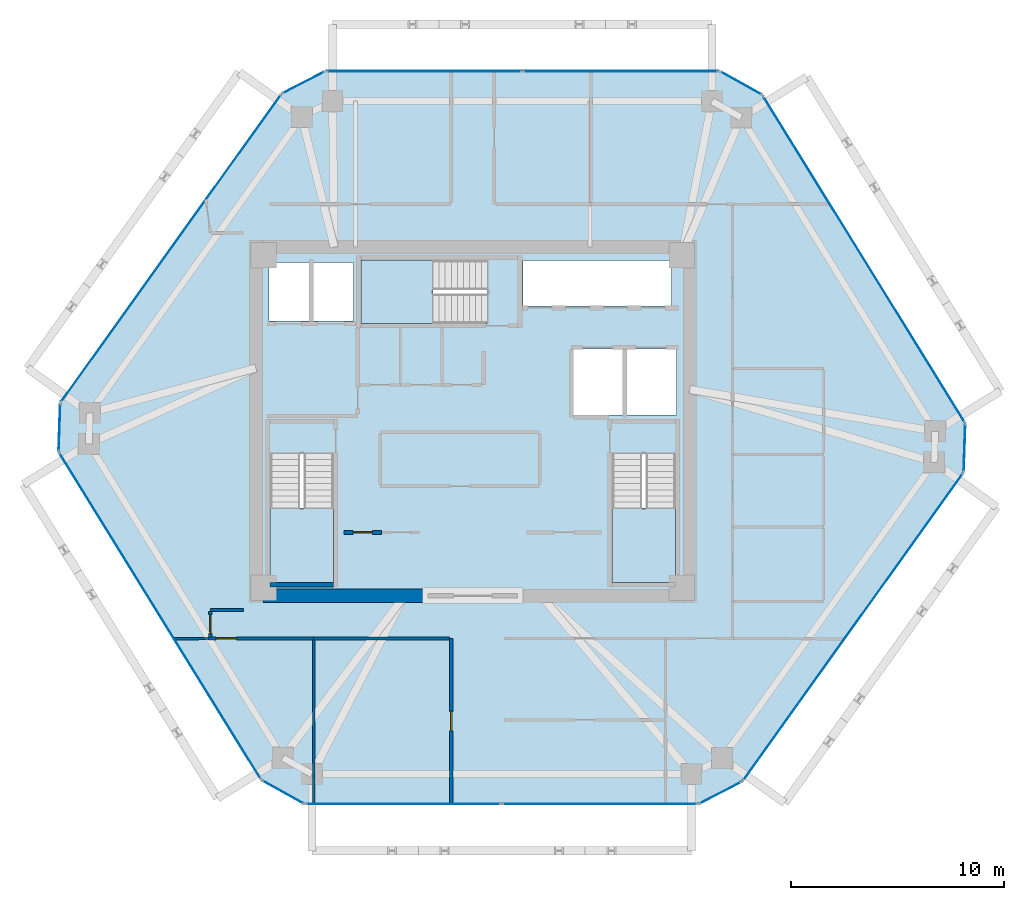
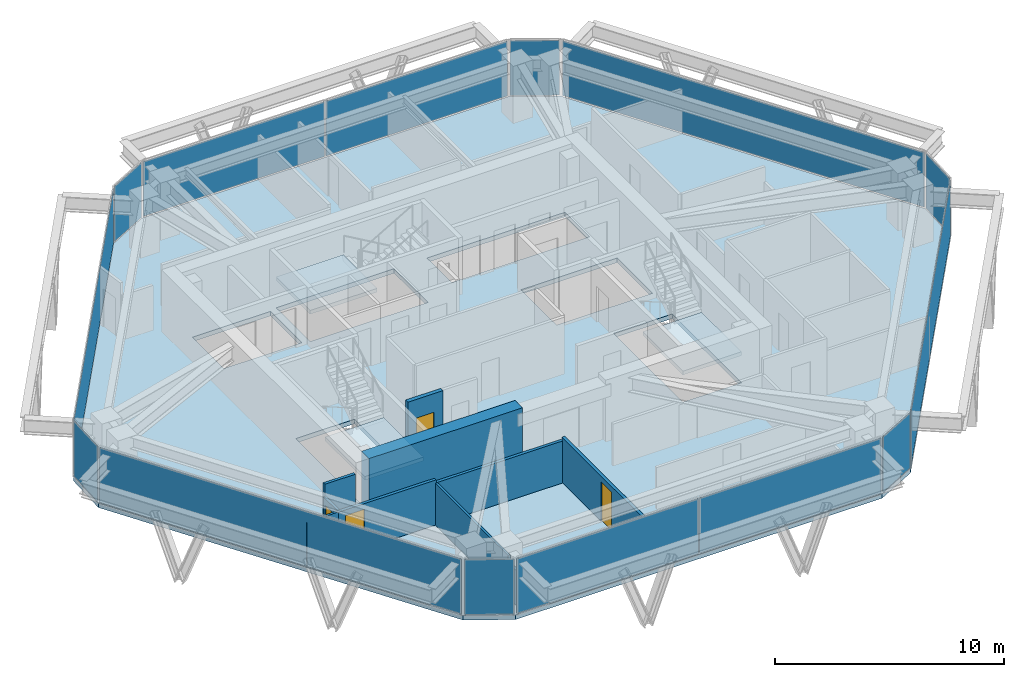
# One storey, part 7 of 11: 14 plates, 11 walls, 4 doors, 4 slabs, 4 openings, 15 elements without a shape of their own.
"""IFC4 building model written with IfcOpenShell, lengths in metres."""

from ifc_helpers import new_model, si_unit, direction, frame, frame_2d, origin, origin_2d, place, context, subcontext, project, spatial, polyline, rectangle, outline, extrude, source, transform, mapped, material, layer, layer_set, type_object, type_shapes, element, fill, aggregate, save


model = new_model("IFC4")

# Units and contexts
model_context = context("Model", 3, precision=1e-05, world=origin(), true_north=direction((0.0, 1.0)))
body_context = subcontext(model_context, "Body", "Model", "MODEL_VIEW")
ifc_project = project(units=[si_unit("LENGTHUNIT", "METRE"), si_unit("AREAUNIT", "SQUARE_METRE"), si_unit("VOLUMEUNIT", "CUBIC_METRE"), si_unit("PLANEANGLEUNIT", "RADIAN"), si_unit("MASSUNIT", "GRAM", prefix="KILO")], contexts=[model_context])

# Site, building, storey
site_placement = place(None, origin())
site = spatial("IfcSite", under=ifc_project, at=site_placement, CompositionType="ELEMENT")
building_placement = place(site_placement, origin())
building = spatial("IfcBuilding", under=site, at=building_placement, Name="Durnholm Broadcast Tower", CompositionType="ELEMENT")
storey_placement = place(building_placement, frame((0.0, 0.0, 190.300048828125)))
storey = spatial("IfcBuildingStorey", under=building, at=storey_placement, Name="L52", CompositionType="ELEMENT", Elevation=190.300048828125)

# Slab
ifc_material_1 = material(Name="Concrete C50/60", Category="concrete")
ifc_layer_1 = layer(ifc_material_1, 0.239990234375)
ifc_layer_set_1 = layer_set([ifc_layer_1], Name="Concrete C50/60")
slab_type_1 = type_object("IfcSlabType", Name="SLAB-FLR-240", PredefinedType="FLOOR", material=ifc_layer_set_1)
slab_1_placement = place(storey_placement, frame((0.0, 0.0, -0.239990234375)))
element("IfcSlab", 1, at=slab_1_placement, inside=storey, type_object=slab_type_1, Name="L52 structural floor slab", PredefinedType="FLOOR", context=body_context, shape_type="SweptSolid", body=[
    extrude(outline(polyline([(-9.912353515625, -16.822021484375), (-7.9033203125, -17.94189453125), (10.59521484375, -17.94189453125), (12.64111328125, -16.890625), (23.022705078125, -2.390380859375), (23.1005859375, -0.091552734375), (13.59033203125, 15.2978515625), (11.581298828125, 16.41796875), (-6.917236328125, 16.41796875), (-8.962890625, 15.36669921875), (-19.3447265625, 0.8662109375), (-19.422607421875, -1.432373046875), (-9.912353515625, -16.822021484375)]), holes=[polyline([(-6.5400390625, -1.5), (-9.5, -1.5), (-9.5, -7.550048828125), (-6.5400390625, -7.550048828125), (-6.5400390625, -1.5)]), polyline([(9.5, -7.550048828125), (9.5, -1.5), (6.5400390625, -1.5), (6.5400390625, -7.550048828125), (9.5, -7.550048828125)]), polyline([(9.550048828125, 3.39990234375), (4.699951171875, 3.39990234375), (4.699951171875, 0.300048828125), (9.550048828125, 0.300048828125), (9.550048828125, 3.39990234375)]), polyline([(-9.550048828125, 7.449951171875), (-9.550048828125, 4.699951171875), (-5.60009765625, 4.699951171875), (-5.60009765625, 7.449951171875), (-9.550048828125, 7.449951171875)]), polyline([(-5.25, 4.60009765625), (0.699951171875, 4.60009765625), (0.699951171875, 7.56005859375), (-5.25, 7.56005859375), (-5.25, 4.60009765625)]), polyline([(9.31005859375, 7.550048828125), (2.35009765625, 7.550048828125), (2.35009765625, 5.39990234375), (9.31005859375, 5.39990234375), (9.31005859375, 7.550048828125)])]), origin(), (0.0, 0.0, 1.0), 0.239990234375),
])

# Stair, slab
stair_type = type_object("IfcStairType", Name="STAIR-DL-20R1650", PredefinedType="HALF_TURN_STAIR", material=ifc_material_1)
stair_1_placement = place(storey_placement, origin())
stair_1 = element("IfcStair", 2, at=stair_1_placement, inside=storey, type_object=stair_type, Name="L52 ST-1", PredefinedType="HALF_TURN_STAIR")
ifc_layer_2 = layer(ifc_material_1, 0.199951171875)
ifc_layer_set_2 = layer_set([ifc_layer_2], Name="Concrete C50/60")
slab_type_2 = type_object("IfcSlabType", Name="SLAB-LND-200", PredefinedType="LANDING", material=ifc_layer_set_2)
slab_2_placement = place(storey_placement, frame((0.0, 0.0, 1.449951171875)))
slab_2 = element("IfcSlab", 3, at=slab_2_placement, type_object=slab_type_2, Name="ST-1 landing 1", PredefinedType="LANDING", context=body_context, shape_type="SweptSolid", body=[
    extrude(outline(polyline([(-9.5, -4.06494140625), (-9.5, -7.550048828125), (-6.5400390625, -7.550048828125), (-6.5400390625, -4.06494140625), (-9.5, -4.06494140625)])), origin(), (0.0, 0.0, 1.0), 0.199951171875),
])
aggregate(stair_1, [slab_2])

stair_2_placement = place(storey_placement, origin())
stair_2 = element("IfcStair", 4, at=stair_2_placement, inside=storey, type_object=stair_type, Name="L52 ST-2", PredefinedType="HALF_TURN_STAIR")
slab_3_placement = place(storey_placement, frame((0.0, 0.0, 1.449951171875)))
slab_3 = element("IfcSlab", 5, at=slab_3_placement, type_object=slab_type_2, Name="ST-2 landing 1", PredefinedType="LANDING", context=body_context, shape_type="SweptSolid", body=[
    extrude(outline(polyline([(6.5400390625, -4.06494140625), (6.5400390625, -7.550048828125), (9.5, -7.550048828125), (9.5, -4.06494140625), (6.5400390625, -4.06494140625)])), origin(), (0.0, 0.0, 1.0), 0.199951171875),
])
aggregate(stair_2, [slab_3])

stair_3_placement = place(storey_placement, origin())
stair_3 = element("IfcStair", 6, at=stair_3_placement, inside=storey, type_object=stair_type, Name="L52 ST-3", PredefinedType="HALF_TURN_STAIR")
slab_4_placement = place(storey_placement, frame((0.0, 0.0, 1.449951171875)))
slab_4 = element("IfcSlab", 7, at=slab_4_placement, type_object=slab_type_2, Name="ST-3 landing 1", PredefinedType="LANDING", context=body_context, shape_type="SweptSolid", body=[
    extrude(outline(polyline([(-1.864990234375, 7.56005859375), (-5.25, 7.56005859375), (-5.25, 4.60009765625), (-1.864990234375, 4.60009765625), (-1.864990234375, 7.56005859375)])), origin(), (0.0, 0.0, 1.0), 0.199951171875),
])
aggregate(stair_3, [slab_4])

# Curtain wall, plate
ifc_material_2 = material(Name="Aluminium and Solar Control IGU", Category="aluminium")
ifc_layer_3 = layer(ifc_material_2, 0.1650390625)
ifc_layer_set_3 = layer_set([ifc_layer_3], Name="Aluminium and Solar Control IGU")
curtain_wall_type_1 = type_object("IfcCurtainWallType", Name="CW-SYS-5", PredefinedType="NOTDEFINED", material=ifc_layer_set_3)
curtain_wall_1_placement = place(storey_placement, origin())
curtain_wall_1 = element("IfcCurtainWall", 8, at=curtain_wall_1_placement, inside=storey, type_object=curtain_wall_type_1, Name="L52 curtain wall CW-CORNER CW-L52-CRN-01", PredefinedType="NOTDEFINED")
ifc_material_3 = material(Name="Low-E Laminated Insulating Glass", Category="glass")
ifc_layer_4 = layer(ifc_material_3, 0.030029296875)
ifc_layer_set_4 = layer_set([ifc_layer_4], Name="Low-E Laminated Insulating Glass")
plate_type_1 = type_object("IfcPlateType", Name="CW-SYS-5-PNL", PredefinedType="CURTAIN_PANEL", material=ifc_layer_set_4)
shared_shape_1 = source(origin(), body_context, "Body", "SweptSolid", [
    extrude(rectangle(XDim=2.169921875, YDim=0.030029296875, at=origin_2d()), origin(), (0.0, 0.0, 1.0), 2.929931640625),
])
plate_1_placement = place(storey_placement, frame((-19.3837890625, -0.282958984375, 0.06494140625), z_axis=(0.0, 0.0, 1.0), x_axis=(0.033912704699, 0.999424798802, 0.0)))
plate_1 = element("IfcPlate", 9, at=plate_1_placement, type_object=plate_type_1, Name="CW-CORNER panel 1.1", PredefinedType="CURTAIN_PANEL", context=body_context, shape_type="MappedRepresentation", body=[
    mapped(shared_shape_1, transform((0.0, 0.0, 0.0), x_axis=(1.0, 0.0, 0.0), y_axis=(0.0, 1.0, 0.0), z_axis=(0.0, 0.0, 1.0), scale=1.0)),
])
aggregate(curtain_wall_1, [plate_1])

curtain_wall_2_placement = place(storey_placement, origin())
curtain_wall_2 = element("IfcCurtainWall", 10, at=curtain_wall_2_placement, inside=storey, type_object=curtain_wall_type_1, Name="L52 curtain wall CW-CORNER CW-L52-CRN-03", PredefinedType="NOTDEFINED")
plate_2_placement = place(storey_placement, frame((-7.940185546875, 15.892333984375, 0.06494140625), z_axis=(0.0, 0.0, 1.0), x_axis=(0.889424679545, 0.457081764476, 0.0)))
plate_2 = element("IfcPlate", 11, at=plate_2_placement, type_object=plate_type_1, Name="CW-CORNER panel 1.1", PredefinedType="CURTAIN_PANEL", context=body_context, shape_type="MappedRepresentation", body=[
    mapped(shared_shape_1, transform((0.0, 0.0, 0.0), x_axis=(1.0, 0.0, 0.0), y_axis=(0.0, 1.0, 0.0), z_axis=(0.0, 0.0, 1.0), scale=1.0)),
])
aggregate(curtain_wall_2, [plate_2])

curtain_wall_3_placement = place(storey_placement, origin())
curtain_wall_3 = element("IfcCurtainWall", 12, at=curtain_wall_3_placement, inside=storey, type_object=curtain_wall_type_1, Name="L52 curtain wall CW-CORNER CW-L52-CRN-07", PredefinedType="NOTDEFINED")
plate_3_placement = place(storey_placement, frame((23.061767578125, -1.240966796875, 0.06494140625), z_axis=(0.0, 0.0, 1.0), x_axis=(-0.033912704699, -0.999424798802, 0.0)))
plate_3 = element("IfcPlate", 13, at=plate_3_placement, type_object=plate_type_1, Name="CW-CORNER panel 1.1", PredefinedType="CURTAIN_PANEL", context=body_context, shape_type="MappedRepresentation", body=[
    mapped(shared_shape_1, transform((0.0, 0.0, 0.0), x_axis=(1.0, 0.0, 0.0), y_axis=(0.0, 1.0, 0.0), z_axis=(0.0, 0.0, 1.0), scale=1.0)),
])
aggregate(curtain_wall_3, [plate_3])

curtain_wall_4_placement = place(storey_placement, origin())
curtain_wall_4 = element("IfcCurtainWall", 14, at=curtain_wall_4_placement, inside=storey, type_object=curtain_wall_type_1, Name="L52 curtain wall CW-CORNER CW-L52-CRN-09", PredefinedType="NOTDEFINED")
plate_4_placement = place(storey_placement, frame((11.6181640625, -17.416259765625, 0.06494140625), z_axis=(0.0, 0.0, 1.0), x_axis=(-0.889424679545, -0.457081764476, 0.0)))
plate_4 = element("IfcPlate", 15, at=plate_4_placement, type_object=plate_type_1, Name="CW-CORNER panel 1.1", PredefinedType="CURTAIN_PANEL", context=body_context, shape_type="MappedRepresentation", body=[
    mapped(shared_shape_1, transform((0.0, 0.0, 0.0), x_axis=(1.0, 0.0, 0.0), y_axis=(0.0, 1.0, 0.0), z_axis=(0.0, 0.0, 1.0), scale=1.0)),
])
aggregate(curtain_wall_4, [plate_4])

ifc_layer_5 = layer(ifc_material_2, 0.18994140625)
ifc_layer_set_5 = layer_set([ifc_layer_5], Name="Aluminium and Solar Control IGU")
curtain_wall_type_2 = type_object("IfcCurtainWallType", Name="CW-SYS-4", PredefinedType="NOTDEFINED", material=ifc_layer_set_5)
curtain_wall_5_placement = place(storey_placement, origin())
curtain_wall_5 = element("IfcCurtainWall", 16, at=curtain_wall_5_placement, inside=storey, type_object=curtain_wall_type_2, Name="L52 curtain wall CW-Z34-VIS CW-L52-F02", PredefinedType="NOTDEFINED")
ifc_layer_6 = layer(ifc_material_3, 0.033935546875)
ifc_layer_set_6 = layer_set([ifc_layer_6], Name="Low-E Laminated Insulating Glass")
plate_type_2 = type_object("IfcPlateType", Name="CW-SYS-4-PNL", PredefinedType="CURTAIN_PANEL", material=ifc_layer_set_6)
shared_shape_2 = source(origin(), body_context, "Body", "SweptSolid", [
    extrude(rectangle(XDim=17.693603515625, YDim=0.033935546875, at=origin_2d()), origin(), (0.0, 0.0, 1.0), 2.919921875),
])
plate_5_placement = place(storey_placement, frame((-14.15380859375, 8.116455078125, 0.070068359375), z_axis=(0.0, 0.0, 1.0), x_axis=(0.582139030549, 0.813089262696, 0.0)))
plate_5 = element("IfcPlate", 17, at=plate_5_placement, type_object=plate_type_2, Name="CW-Z34-VIS panel 1.1", PredefinedType="CURTAIN_PANEL", context=body_context, shape_type="MappedRepresentation", body=[
    mapped(shared_shape_2, transform((0.0, 0.0, 0.0), x_axis=(1.0, 0.0, 0.0), y_axis=(0.0, 1.0, 0.0), z_axis=(0.0, 0.0, 1.0), scale=1.0)),
])
aggregate(curtain_wall_5, [plate_5])

curtain_wall_6_placement = place(storey_placement, origin())
curtain_wall_6 = element("IfcCurtainWall", 18, at=curtain_wall_6_placement, inside=storey, type_object=curtain_wall_type_2, Name="L52 curtain wall CW-Z34-VIS CW-L52-F08", PredefinedType="NOTDEFINED")
plate_6_placement = place(storey_placement, frame((17.831787109375, -9.640380859375, 0.070068359375), z_axis=(0.0, 0.0, 1.0), x_axis=(-0.582139030549, -0.813089262696, 0.0)))
plate_6 = element("IfcPlate", 19, at=plate_6_placement, type_object=plate_type_2, Name="CW-Z34-VIS panel 1.1", PredefinedType="CURTAIN_PANEL", context=body_context, shape_type="MappedRepresentation", body=[
    mapped(shared_shape_2, transform((0.0, 0.0, 0.0), x_axis=(1.0, 0.0, 0.0), y_axis=(0.0, 1.0, 0.0), z_axis=(0.0, 0.0, 1.0), scale=1.0)),
])
aggregate(curtain_wall_6, [plate_6])

# Curtain wall, plates
curtain_wall_7_placement = place(storey_placement, origin())
curtain_wall_7 = element("IfcCurtainWall", 20, at=curtain_wall_7_placement, inside=storey, type_object=curtain_wall_type_2, Name="L52 curtain wall CW-Z34-VIS CW-L52-F04", PredefinedType="NOTDEFINED")
shared_shape_3 = source(origin(), body_context, "Body", "SweptSolid", [
    extrude(rectangle(XDim=9.144287109375, YDim=0.033935546875, at=origin_2d()), origin(), (0.0, 0.0, 1.0), 2.919921875),
])
plate_7_placement = place(storey_placement, frame((-2.275146484375, 16.41796875, 0.070068359375), z_axis=(0.0, 0.0, 1.0), x_axis=(1.0, 0.0, 0.0)))
plate_7 = element("IfcPlate", 21, at=plate_7_placement, type_object=plate_type_2, Name="CW-Z34-VIS panel 1.1", PredefinedType="CURTAIN_PANEL", context=body_context, shape_type="MappedRepresentation", body=[
    mapped(shared_shape_3, transform((0.0, 0.0, 0.0), x_axis=(1.0, 0.0, 0.0), y_axis=(0.0, 1.0, 0.0), z_axis=(0.0, 0.0, 1.0), scale=1.0)),
])
plate_8_placement = place(storey_placement, frame((6.939208984375, 16.41796875, 0.070068359375), z_axis=(0.0, 0.0, 1.0), x_axis=(1.0, 0.0, 0.0)))
plate_8 = element("IfcPlate", 22, at=plate_8_placement, type_object=plate_type_2, Name="CW-Z34-VIS panel 2.1", PredefinedType="CURTAIN_PANEL", context=body_context, shape_type="MappedRepresentation", body=[
    mapped(shared_shape_3, transform((0.0, 0.0, 0.0), x_axis=(1.0, 0.0, 0.0), y_axis=(0.0, 1.0, 0.0), z_axis=(0.0, 0.0, 1.0), scale=1.0)),
])
aggregate(curtain_wall_7, [plate_7, plate_8])

curtain_wall_8_placement = place(storey_placement, origin())
curtain_wall_8 = element("IfcCurtainWall", 23, at=curtain_wall_8_placement, inside=storey, type_object=curtain_wall_type_2, Name="L52 curtain wall CW-Z34-VIS CW-L52-F10", PredefinedType="NOTDEFINED")
plate_9_placement = place(storey_placement, frame((5.953125, -17.94189453125, 0.070068359375), z_axis=(0.0, 0.0, 1.0), x_axis=(-1.0, 0.0, 0.0)))
plate_9 = element("IfcPlate", 24, at=plate_9_placement, type_object=plate_type_2, Name="CW-Z34-VIS panel 1.1", PredefinedType="CURTAIN_PANEL", context=body_context, shape_type="MappedRepresentation", body=[
    mapped(shared_shape_3, transform((0.0, 0.0, 0.0), x_axis=(1.0, 0.0, 0.0), y_axis=(0.0, 1.0, 0.0), z_axis=(0.0, 0.0, 1.0), scale=1.0)),
])
plate_10_placement = place(storey_placement, frame((-3.26123046875, -17.94189453125, 0.070068359375), z_axis=(0.0, 0.0, 1.0), x_axis=(-1.0, 0.0, 0.0)))
plate_10 = element("IfcPlate", 25, at=plate_10_placement, type_object=plate_type_2, Name="CW-Z34-VIS panel 2.1", PredefinedType="CURTAIN_PANEL", context=body_context, shape_type="MappedRepresentation", body=[
    mapped(shared_shape_3, transform((0.0, 0.0, 0.0), x_axis=(1.0, 0.0, 0.0), y_axis=(0.0, 1.0, 0.0), z_axis=(0.0, 0.0, 1.0), scale=1.0)),
])
aggregate(curtain_wall_8, [plate_9, plate_10])

# Curtain wall, plate
curtain_wall_9_placement = place(storey_placement, origin())
curtain_wall_9 = element("IfcCurtainWall", 26, at=curtain_wall_9_placement, inside=storey, type_object=curtain_wall_type_1, Name="L52 curtain wall CW-CORNER CW-L52-CRN-05", PredefinedType="NOTDEFINED")
shared_shape_4 = source(origin(), body_context, "Body", "SweptSolid", [
    extrude(rectangle(XDim=2.170166015625, YDim=0.030029296875, at=origin_2d()), origin(), (0.0, 0.0, 1.0), 2.929931640625),
])
type_shapes(plate_type_1, [shared_shape_1, shared_shape_4])
plate_11_placement = place(storey_placement, frame((12.5859375, 15.85791015625, 0.06494140625), z_axis=(0.0, 0.0, 1.0), x_axis=(0.873409751271, -0.486986043316, 0.0)))
plate_11 = element("IfcPlate", 27, at=plate_11_placement, type_object=plate_type_1, Name="CW-CORNER panel 1.1", PredefinedType="CURTAIN_PANEL", context=body_context, shape_type="MappedRepresentation", body=[
    mapped(shared_shape_4, transform((0.0, 0.0, 0.0), x_axis=(1.0, 0.0, 0.0), y_axis=(0.0, 1.0, 0.0), z_axis=(0.0, 0.0, 1.0), scale=1.0)),
])
aggregate(curtain_wall_9, [plate_11])

curtain_wall_10_placement = place(storey_placement, origin())
curtain_wall_10 = element("IfcCurtainWall", 28, at=curtain_wall_10_placement, inside=storey, type_object=curtain_wall_type_1, Name="L52 curtain wall CW-CORNER CW-L52-CRN-11", PredefinedType="NOTDEFINED")
plate_12_placement = place(storey_placement, frame((-8.907958984375, -17.3818359375, 0.06494140625), z_axis=(0.0, 0.0, 1.0), x_axis=(-0.873409751271, 0.486986043316, 0.0)))
plate_12 = element("IfcPlate", 29, at=plate_12_placement, type_object=plate_type_1, Name="CW-CORNER panel 1.1", PredefinedType="CURTAIN_PANEL", context=body_context, shape_type="MappedRepresentation", body=[
    mapped(shared_shape_4, transform((0.0, 0.0, 0.0), x_axis=(1.0, 0.0, 0.0), y_axis=(0.0, 1.0, 0.0), z_axis=(0.0, 0.0, 1.0), scale=1.0)),
])
aggregate(curtain_wall_10, [plate_12])

curtain_wall_11_placement = place(storey_placement, origin())
curtain_wall_11 = element("IfcCurtainWall", 30, at=curtain_wall_11_placement, inside=storey, type_object=curtain_wall_type_2, Name="L52 curtain wall CW-Z34-VIS CW-L52-F06", PredefinedType="NOTDEFINED")
shared_shape_5 = source(origin(), body_context, "Body", "SweptSolid", [
    extrude(rectangle(XDim=17.950927734375, YDim=0.033935546875, at=origin_2d()), origin(), (0.0, 0.0, 1.0), 2.919921875),
])
type_shapes(plate_type_2, [shared_shape_2, shared_shape_3, shared_shape_5])
plate_13_placement = place(storey_placement, frame((18.345458984375, 7.603271484375, 0.070068359375), z_axis=(0.0, 0.0, 1.0), x_axis=(0.525697750452, -0.850671426092, 0.0)))
plate_13 = element("IfcPlate", 31, at=plate_13_placement, type_object=plate_type_2, Name="CW-Z34-VIS panel 1.1", PredefinedType="CURTAIN_PANEL", context=body_context, shape_type="MappedRepresentation", body=[
    mapped(shared_shape_5, transform((0.0, 0.0, 0.0), x_axis=(1.0, 0.0, 0.0), y_axis=(0.0, 1.0, 0.0), z_axis=(0.0, 0.0, 1.0), scale=1.0)),
])
aggregate(curtain_wall_11, [plate_13])

curtain_wall_12_placement = place(storey_placement, origin())
curtain_wall_12 = element("IfcCurtainWall", 32, at=curtain_wall_12_placement, inside=storey, type_object=curtain_wall_type_2, Name="L52 curtain wall CW-Z34-VIS CW-L52-F12", PredefinedType="NOTDEFINED")
plate_14_placement = place(storey_placement, frame((-14.66748046875, -9.127197265625, 0.070068359375), z_axis=(0.0, 0.0, 1.0), x_axis=(-0.525697750452, 0.850671426092, 0.0)))
plate_14 = element("IfcPlate", 33, at=plate_14_placement, type_object=plate_type_2, Name="CW-Z34-VIS panel 1.1", PredefinedType="CURTAIN_PANEL", context=body_context, shape_type="MappedRepresentation", body=[
    mapped(shared_shape_5, transform((0.0, 0.0, 0.0), x_axis=(1.0, 0.0, 0.0), y_axis=(0.0, 1.0, 0.0), z_axis=(0.0, 0.0, 1.0), scale=1.0)),
])
aggregate(curtain_wall_12, [plate_14])

# Wall
ifc_material_4 = material(Name="Concrete C70/85", Category="concrete")
ifc_layer_7 = layer(ifc_material_4, 0.64990234375)
ifc_layer_set_7 = layer_set([ifc_layer_7], Name="Concrete C70/85")
wall_type_1 = type_object("IfcWallType", Name="WALL-CW-650", PredefinedType="SHEAR", material=ifc_layer_set_7)
wall_1_placement = place(storey_placement, frame((-9.85009765625, -8.175048828125, 0.0), z_axis=(0.0, 0.0, 1.0), x_axis=(1.0, 0.0, 0.0)))
element("IfcWall", 34, at=wall_1_placement, inside=storey, type_object=wall_type_1, Name="L52 central core shear wall CW-S1", PredefinedType="SHEAR", context=body_context, shape_type="SweptSolid", body=[
    extrude(rectangle(XDim=7.75, YDim=0.64990234375, at=frame_2d((3.875, 0.0))), origin(), (0.0, 0.0, 1.0), 3.300048828125),
])

# Wall, opening, door
ifc_material_5 = material(Name="Fire-Rated Gypsum Shaftwall", Category="concrete")
ifc_layer_8 = layer(ifc_material_5, 0.199951171875)
ifc_layer_set_8 = layer_set([ifc_layer_8], Name="Fire-Rated Gypsum Shaftwall")
wall_type_2 = type_object("IfcWallType", Name="WALL-LOB-200", PredefinedType="SOLIDWALL", material=ifc_layer_set_8)
wall_2_placement = place(storey_placement, frame((-6.0400390625, -5.2099609375, 0.0), z_axis=(0.0, 0.0, 1.0), x_axis=(1.0, 0.0, 0.0)))
wall_2 = element("IfcWall", 35, at=wall_2_placement, inside=storey, type_object=wall_type_2, Name="L52 Media Fiber Patch Room corridor partition", PredefinedType="SOLIDWALL", context=body_context, shape_type="SweptSolid", body=[
    extrude(rectangle(XDim=1.760009765625, YDim=0.199951171875, at=frame_2d((0.8798828125, 0.0))), origin(), (0.0, 0.0, 1.0), 3.044921875),
])
opening_1_placement = place(wall_2_placement, frame((0.429931640625, 0.0, 0.0)))
opening_1 = element("IfcOpeningElement", 36, at=opening_1_placement, cuts=wall_2, Name="Opening DC-60R", PredefinedType="OPENING", context=body_context, shape_type="SweptSolid", body=[
    extrude(rectangle(XDim=0.89990234375, YDim=2.050048828125, at=frame_2d((0.449951171875, 1.02490234375))), frame((0.0, 0.10986328125, 0.0), z_axis=(0.0, -1.0, 0.0), x_axis=(1.0, 0.0, 0.0)), (0.0, 0.0, 1.0), 0.219970703125),
])
ifc_material_6 = material(Name="Fire-Rated Core Service Door", Category="steel")
ifc_layer_9 = layer(ifc_material_6, 0.050048828125)
ifc_layer_set_9 = layer_set([ifc_layer_9], Name="Fire-Rated Core Service Door")
door_type_1 = type_object("IfcDoorType", Name="DOOR-CORE-FD60-R", OperationType="NOTDEFINED", PredefinedType="DOOR", material=ifc_layer_set_9)
shared_shape_6 = source(origin(), body_context, "Body", "SweptSolid", [
    extrude(rectangle(XDim=0.89990234375, YDim=2.050048828125, at=frame_2d((0.449951171875, 1.02490234375))), frame((0.0, 0.02490234375, 0.0), z_axis=(0.0, -1.0, 0.0), x_axis=(1.0, 0.0, 0.0)), (0.0, 0.0, 1.0), 0.050048828125),
])
type_shapes(door_type_1, [shared_shape_6])
door_1_placement = place(opening_1_placement, origin())
door_1 = element("IfcDoor", 37, at=door_1_placement, inside=storey, type_object=door_type_1, Name="L52 Media Fiber Patch Room entrance door", OperationType="SINGLE_SWING_RIGHT", OverallHeight=2.050048828125, OverallWidth=0.89990234375, PredefinedType="DOOR", context=body_context, shape_type="MappedRepresentation", body=[
    mapped(shared_shape_6, transform((0.0, 0.0, 0.0), x_axis=(1.0, 0.0, 0.0), y_axis=(0.0, 1.0, 0.0), z_axis=(0.0, 0.0, 1.0), scale=1.0)),
])
fill(opening_1, door_1)

# Walls
ifc_material_7 = material(Name="Operable Acoustic Panel Partition", Category="aluminium")
ifc_layer_10 = layer(ifc_material_7, 0.110107421875)
ifc_layer_set_10 = layer_set([ifc_layer_10], Name="Operable Acoustic Panel Partition")
wall_type_3 = type_object("IfcWallType", Name="WALL-MOV-110", PredefinedType="MOVABLE", material=ifc_layer_set_10)
wall_3_placement = place(storey_placement, frame((-7.4599609375, -10.259033203125, 0.0), z_axis=(0.0, 0.0, 1.0), x_axis=(0.0, -1.0, 0.0)))
element("IfcWall", 38, at=wall_3_placement, inside=storey, type_object=wall_type_3, Name="L52 room dividing partition 14.15", PredefinedType="MOVABLE", context=body_context, shape_type="SweptSolid", body=[
    extrude(rectangle(XDim=6.366943359375, YDim=0.110107421875, at=frame_2d((3.18359375, 0.0))), origin(), (0.0, 0.0, 1.0), 2.24169921875),
])
wall_4_placement = place(storey_placement, frame((-7.4599609375, -16.6259765625, 0.0), z_axis=(0.0, 0.0, 1.0), x_axis=(0.0, -1.0, 0.0)))
element("IfcWall", 39, at=wall_4_placement, inside=storey, type_object=wall_type_3, Name="L52 room dividing partition 14.15", PredefinedType="MOVABLE", context=body_context, shape_type="SweptSolid", body=[
    extrude(rectangle(XDim=1.31591796875, YDim=0.110107421875, at=frame_2d((0.657958984375, 0.0))), origin(), (0.0, 0.0, 1.0), 1.876953125),
])
wall_5_placement = place(storey_placement, frame((-14.00390625, -10.200927734375, 0.0), z_axis=(0.0, 0.0, 1.0), x_axis=(0.999923084603, 0.012402615782, 0.0)))
element("IfcWall", 40, at=wall_5_placement, inside=storey, type_object=wall_type_3, Name="L52 room dividing partition 14.19", PredefinedType="MOVABLE", context=body_context, shape_type="SweptSolid", body=[
    extrude(rectangle(XDim=1.6142578125, YDim=0.110107421875, at=frame_2d((0.80712890625, 0.0))), origin(), (0.0, 0.0, 1.0), 2.398681640625),
])

# Wall, opening, door
ifc_material_8 = material(Name="Acoustic Gypsum Stud Partition", Category="concrete")
ifc_layer_11 = layer(ifc_material_8, 0.14990234375)
ifc_layer_set_11 = layer_set([ifc_layer_11], Name="Acoustic Gypsum Stud Partition")
wall_type_4 = type_object("IfcWallType", Name="WALL-PART-150", PredefinedType="PARTITIONING", material=ifc_layer_set_11)
wall_6_placement = place(storey_placement, frame((-12.389892578125, -10.179931640625, 0.0), z_axis=(0.0, 0.0, 1.0), x_axis=(1.0, 0.0, 0.0)))
wall_6 = element("IfcWall", 41, at=wall_6_placement, inside=storey, type_object=wall_type_4, Name="L52 Typography Meeting Room 2 corridor partition", PredefinedType="PARTITIONING", context=body_context, shape_type="SweptSolid", body=[
    extrude(rectangle(XDim=4.929931640625, YDim=0.14990234375, at=frame_2d((2.46484375, 0.0))), origin(), (0.0, 0.0, 1.0), 2.398681640625),
])
opening_2_placement = place(wall_6_placement, frame((0.35009765625, 0.0, 0.0)))
opening_2 = element("IfcOpeningElement", 42, at=opening_2_placement, cuts=wall_6, Name="Opening DR-95L", PredefinedType="OPENING", context=body_context, shape_type="SweptSolid", body=[
    extrude(rectangle(XDim=0.949951171875, YDim=2.10009765625, at=frame_2d((0.47509765625, 1.050048828125))), frame((0.0, 0.0849609375, 0.0), z_axis=(0.0, -1.0, 0.0), x_axis=(1.0, 0.0, 0.0)), (0.0, 0.0, 1.0), 0.169921875),
])
ifc_material_9 = material(Name="Acoustic Oak Veneer Timber Door", Category="wood")
ifc_layer_12 = layer(ifc_material_9, 0.050048828125)
ifc_layer_set_12 = layer_set([ifc_layer_12], Name="Acoustic Oak Veneer Timber Door")
door_type_2 = type_object("IfcDoorType", Name="DOOR-RM-950L", OperationType="NOTDEFINED", PredefinedType="DOOR", material=ifc_layer_set_12)
shared_shape_7 = source(origin(), body_context, "Body", "SweptSolid", [
    extrude(rectangle(XDim=0.949951171875, YDim=2.10009765625, at=frame_2d((0.47509765625, 1.050048828125))), frame((0.0, 0.02490234375, 0.0), z_axis=(0.0, -1.0, 0.0), x_axis=(1.0, 0.0, 0.0)), (0.0, 0.0, 1.0), 0.050048828125),
])
type_shapes(door_type_2, [shared_shape_7])
door_2_placement = place(opening_2_placement, origin())
door_2 = element("IfcDoor", 43, at=door_2_placement, inside=storey, type_object=door_type_2, Name="L52 Typography Meeting Room 2 entrance door", OperationType="SINGLE_SWING_LEFT", OverallHeight=2.10009765625, OverallWidth=0.949951171875, PredefinedType="DOOR", context=body_context, shape_type="MappedRepresentation", body=[
    mapped(shared_shape_7, transform((0.0, 0.0, 0.0), x_axis=(1.0, 0.0, 0.0), y_axis=(0.0, 1.0, 0.0), z_axis=(0.0, 0.0, 1.0), scale=1.0)),
])
fill(opening_2, door_2)

wall_7_placement = place(storey_placement, frame((-1.010009765625, -10.179931640625, 0.0), z_axis=(0.0, 0.0, 1.0), x_axis=(0.0, -1.0, 0.0)))
wall_7 = element("IfcWall", 44, at=wall_7_placement, inside=storey, type_object=wall_type_4, Name="L52 Promo Kitchen corridor partition", PredefinedType="PARTITIONING", context=body_context, shape_type="SweptSolid", body=[
    extrude(rectangle(XDim=7.761962890625, YDim=0.14990234375, at=frame_2d((3.880859375, 0.0))), origin(), (0.0, 0.0, 1.0), 2.398681640625),
])
opening_3_placement = place(wall_7_placement, frame((3.4208984375, 0.0, 0.0)))
opening_3 = element("IfcOpeningElement", 45, at=opening_3_placement, cuts=wall_7, Name="Opening DR-92R", PredefinedType="OPENING", context=body_context, shape_type="SweptSolid", body=[
    extrude(rectangle(XDim=0.919921875, YDim=2.10009765625, at=frame_2d((0.4599609375, 1.050048828125))), frame((0.0, 0.0849609375, 0.0), z_axis=(0.0, -1.0, 0.0), x_axis=(1.0, 0.0, 0.0)), (0.0, 0.0, 1.0), 0.169921875),
])
ifc_material_10 = material(Name="Oak Veneer Office Door", Category="wood")
ifc_layer_13 = layer(ifc_material_10, 0.050048828125)
ifc_layer_set_13 = layer_set([ifc_layer_13], Name="Oak Veneer Office Door")
door_type_3 = type_object("IfcDoorType", Name="DOOR-RM-920R", OperationType="NOTDEFINED", PredefinedType="DOOR", material=ifc_layer_set_13)
shared_shape_8 = source(origin(), body_context, "Body", "SweptSolid", [
    extrude(rectangle(XDim=0.919921875, YDim=2.10009765625, at=frame_2d((0.4599609375, 1.050048828125))), frame((0.0, 0.02490234375, 0.0), z_axis=(0.0, -1.0, 0.0), x_axis=(1.0, 0.0, 0.0)), (0.0, 0.0, 1.0), 0.050048828125),
])
type_shapes(door_type_3, [shared_shape_8])
door_3_placement = place(opening_3_placement, origin())
door_3 = element("IfcDoor", 46, at=door_3_placement, inside=storey, type_object=door_type_3, Name="L52 Promo Kitchen entrance door", OperationType="SINGLE_SWING_RIGHT", OverallHeight=2.10009765625, OverallWidth=0.919921875, PredefinedType="DOOR", context=body_context, shape_type="MappedRepresentation", body=[
    mapped(shared_shape_8, transform((0.0, 0.0, 0.0), x_axis=(1.0, 0.0, 0.0), y_axis=(0.0, 1.0, 0.0), z_axis=(0.0, 0.0, 1.0), scale=1.0)),
])
fill(opening_3, door_3)

# Walls
wall_8_placement = place(storey_placement, frame((-7.4599609375, -10.179931640625, 0.0), z_axis=(0.0, 0.0, 1.0), x_axis=(1.0, 0.0, 0.0)))
element("IfcWall", 47, at=wall_8_placement, inside=storey, type_object=wall_type_4, Name="L52 Promo Kitchen corridor partition", PredefinedType="PARTITIONING", context=body_context, shape_type="SweptSolid", body=[
    extrude(rectangle(XDim=6.370849609375, YDim=0.14990234375, at=frame_2d((3.185546875, 0.0))), origin(), (0.0, 0.0, 1.0), 2.24169921875),
])
wall_9_placement = place(storey_placement, frame((-10.760009765625, -8.840087890625, 0.0), z_axis=(0.0, 0.0, 1.0), x_axis=(-1.0, 0.0, 0.0)))
element("IfcWall", 48, at=wall_9_placement, inside=storey, type_object=wall_type_4, Name="L52 Brand Review Lounge 2 corridor partition", PredefinedType="PARTITIONING", context=body_context, shape_type="SweptSolid", body=[
    extrude(rectangle(XDim=1.550048828125, YDim=0.14990234375, at=frame_2d((0.77490234375, 0.0))), origin(), (0.0, 0.0, 1.0), 3.044921875),
])

# Wall, opening, door
wall_10_placement = place(storey_placement, frame((-12.31005859375, -8.9189453125, 0.0), z_axis=(0.0, 0.0, 1.0), x_axis=(0.0, -1.0, 0.0)))
wall_10 = element("IfcWall", 49, at=wall_10_placement, inside=storey, type_object=wall_type_4, Name="L52 Brand Review Lounge 2 corridor partition", PredefinedType="PARTITIONING", context=body_context, shape_type="SweptSolid", body=[
    extrude(rectangle(XDim=1.18212890625, YDim=0.14990234375, at=frame_2d((0.591064453125, 0.0))), origin(), (0.0, 0.0, 1.0), 2.398681640625),
])
opening_4_placement = place(wall_10_placement, frame((0.14111328125, 0.0, 0.0)))
opening_4 = element("IfcOpeningElement", 50, at=opening_4_placement, cuts=wall_10, Name="Opening DW-90R", PredefinedType="OPENING", context=body_context, shape_type="SweptSolid", body=[
    extrude(rectangle(XDim=0.89990234375, YDim=2.050048828125, at=frame_2d((0.449951171875, 1.02490234375))), frame((0.0, 0.0849609375, 0.0), z_axis=(0.0, -1.0, 0.0), x_axis=(1.0, 0.0, 0.0)), (0.0, 0.0, 1.0), 0.169921875),
])
ifc_material_11 = material(Name="Laminate Restroom Door", Category="steel")
ifc_layer_14 = layer(ifc_material_11, 0.050048828125)
ifc_layer_set_14 = layer_set([ifc_layer_14], Name="Laminate Restroom Door")
door_type_4 = type_object("IfcDoorType", Name="DOOR-WC-900R", OperationType="NOTDEFINED", PredefinedType="DOOR", material=ifc_layer_set_14)
shared_shape_9 = source(origin(), body_context, "Body", "SweptSolid", [
    extrude(rectangle(XDim=0.89990234375, YDim=2.050048828125, at=frame_2d((0.449951171875, 1.02490234375))), frame((0.0, 0.02490234375, 0.0), z_axis=(0.0, -1.0, 0.0), x_axis=(1.0, 0.0, 0.0)), (0.0, 0.0, 1.0), 0.050048828125),
])
type_shapes(door_type_4, [shared_shape_9])
door_4_placement = place(opening_4_placement, origin())
door_4 = element("IfcDoor", 51, at=door_4_placement, inside=storey, type_object=door_type_4, Name="L52 Brand Review Lounge 2 entrance door", OperationType="SINGLE_SWING_RIGHT", OverallHeight=2.050048828125, OverallWidth=0.89990234375, PredefinedType="DOOR", context=body_context, shape_type="MappedRepresentation", body=[
    mapped(shared_shape_9, transform((0.0, 0.0, 0.0), x_axis=(1.0, 0.0, 0.0), y_axis=(0.0, 1.0, 0.0), z_axis=(0.0, 0.0, 1.0), scale=1.0)),
])
fill(opening_4, door_4)

# Wall
ifc_layer_15 = layer(ifc_material_1, 0.219970703125)
ifc_layer_set_15 = layer_set([ifc_layer_15], Name="Concrete C50/60")
wall_type_5 = type_object("IfcWallType", Name="WALL-SW-220", PredefinedType="SHEAR", material=ifc_layer_set_15)
wall_11_placement = place(storey_placement, frame((-9.5, -7.659912109375, -0.239990234375), z_axis=(0.0, 0.0, 1.0), x_axis=(1.0, 0.0, 0.0)))
element("IfcWall", 52, at=wall_11_placement, inside=storey, type_object=wall_type_5, Name="L52 stair ST-1 structural shaft wall S", PredefinedType="SHEAR", context=body_context, shape_type="SweptSolid", body=[
    extrude(rectangle(XDim=2.9599609375, YDim=0.219970703125, at=frame_2d((1.47998046875, 0.0))), origin(), (0.0, 0.0, 1.0), 3.300048828125),
])

save(model, "model.ifc")
